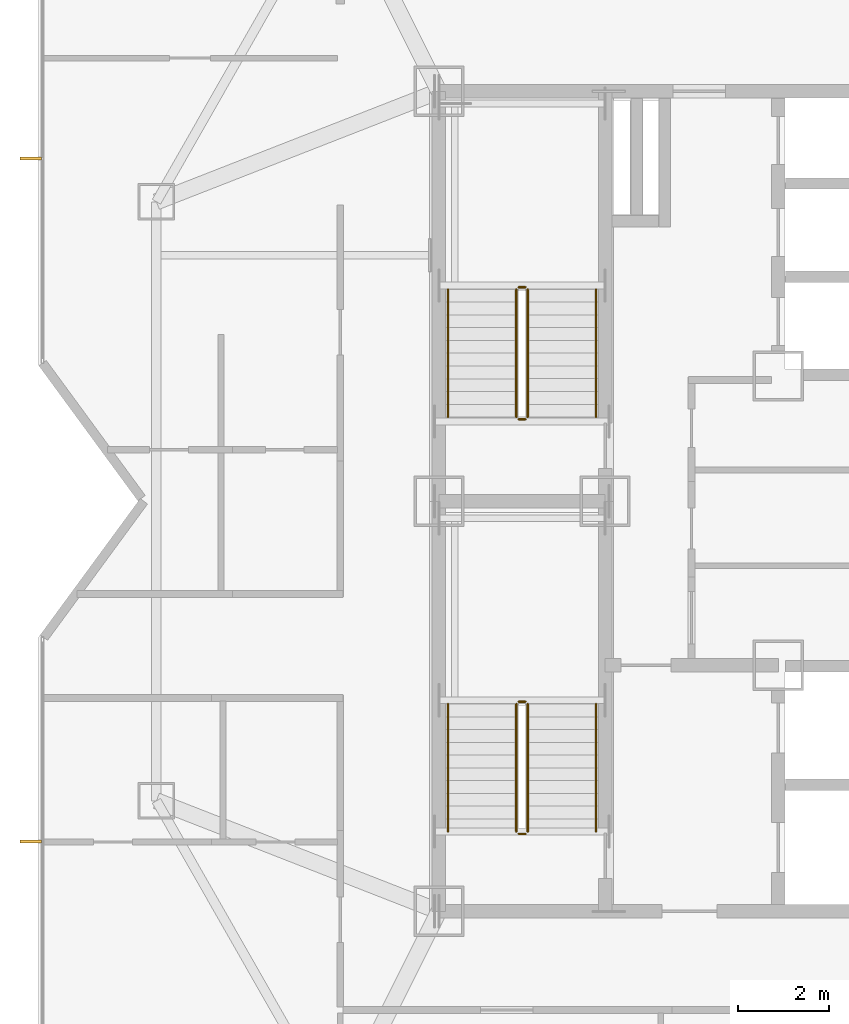
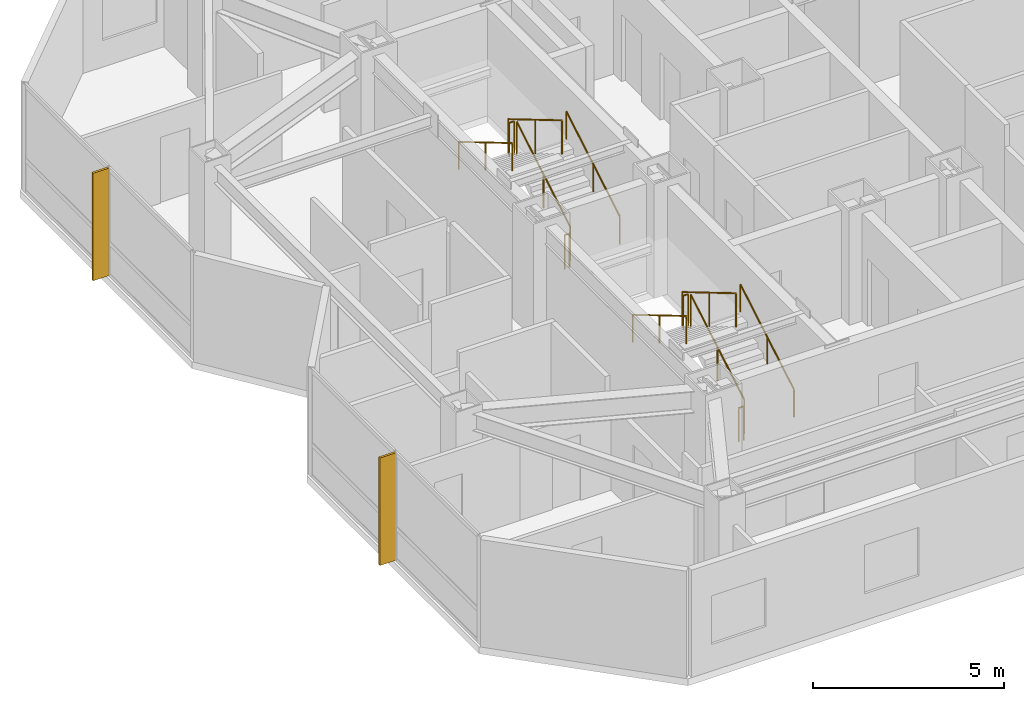
# One storey, part 15 of 15: 12 railings, 2 shading devices.
"""IFC4 building model written with IfcOpenShell, lengths in metres."""

from ifc_helpers import new_model, si_unit, direction, frame, origin, origin_2d, place, context, subcontext, project, spatial, rectangle, circle, extrude, material, type_object, element, save


model = new_model("IFC4")

# Units and contexts
model_context = context("Model", 3, precision=1e-05, world=origin(), true_north=direction((0.0, 1.0)))
body_context = subcontext(model_context, "Body", "Model", "MODEL_VIEW")
ifc_project = project(units=[si_unit("LENGTHUNIT", "METRE"), si_unit("AREAUNIT", "SQUARE_METRE"), si_unit("VOLUMEUNIT", "CUBIC_METRE"), si_unit("PLANEANGLEUNIT", "RADIAN"), si_unit("MASSUNIT", "GRAM", prefix="KILO")], contexts=[model_context])

# Site, building, storey
site_placement = place(None, origin())
site = spatial("IfcSite", under=ifc_project, at=site_placement, CompositionType="ELEMENT")
building_placement = place(site_placement, origin())
building = spatial("IfcBuilding", under=site, at=building_placement, Name="Khamvora Tower", CompositionType="ELEMENT")
storey_placement = place(building_placement, frame((0.0, 0.0, 220.85009765625)))
storey = spatial("IfcBuildingStorey", under=building, at=storey_placement, Name="L56", CompositionType="ELEMENT", Elevation=220.85009765625)

# Railings
ifc_material_1 = material(Name="Brushed Stainless Steel 316", Category="steel")
railing_type_1 = type_object("IfcRailingType", Name="RAL-HDR-920", PredefinedType="HANDRAIL", material=ifc_material_1)
railing_1_placement = place(storey_placement, frame((32.449951171875, 20.75, 0.165771484375)))
element("IfcRailing", 1, at=railing_1_placement, inside=storey, type_object=railing_type_1, Name="L56 ST-01 stair handrail 1", PredefinedType="HANDRAIL", context=body_context, shape_type="SweptSolid", body=[
    extrude(circle(Radius=0.02392578125, at=origin_2d()), frame((0.0, 0.0, 0.8759765625), z_axis=(0.0, 0.860306154799, 0.50977771628), x_axis=(-1.0, 0.0, 0.0)), (0.0, 0.0, 1.0), 3.254638671875),
    extrude(circle(Radius=0.02099609375, at=origin_2d()), origin(), (0.0, 0.0, 1.0), 0.851806640625),
    extrude(circle(Radius=0.02099609375, at=origin_2d()), frame((0.0, 1.39990234375, 0.82958984375)), (0.0, 0.0, 1.0), 0.851806640625),
    extrude(circle(Radius=0.02099609375, at=origin_2d()), frame((0.0, 2.800048828125, 1.6591796875)), (0.0, 0.0, 1.0), 0.851806640625),
])
railing_2_placement = place(storey_placement, frame((29.199951171875, 23.550048828125, 1.99072265625)))
element("IfcRailing", 2, at=railing_2_placement, inside=storey, type_object=railing_type_1, Name="L56 ST-01 stair handrail 2", PredefinedType="HANDRAIL", context=body_context, shape_type="SweptSolid", body=[
    extrude(circle(Radius=0.02392578125, at=origin_2d()), frame((0.0, 0.0, 0.8759765625), z_axis=(0.0, -0.860306154799, 0.50977771628), x_axis=(1.0, 0.0, 0.0)), (0.0, 0.0, 1.0), 3.254638671875),
    extrude(circle(Radius=0.02099609375, at=origin_2d()), origin(), (0.0, 0.0, 1.0), 0.851806640625),
    extrude(circle(Radius=0.02099609375, at=origin_2d()), frame((0.0, -1.39990234375, 0.82958984375)), (0.0, 0.0, 1.0), 0.851806640625),
    extrude(circle(Radius=0.02099609375, at=origin_2d()), frame((0.0, -2.800048828125, 1.6591796875)), (0.0, 0.0, 1.0), 0.851806640625),
])
railing_3_placement = place(storey_placement, frame((32.449951171875, 29.85009765625, 0.165771484375)))
element("IfcRailing", 3, at=railing_3_placement, inside=storey, type_object=railing_type_1, Name="L56 ST-02 stair handrail 1", PredefinedType="HANDRAIL", context=body_context, shape_type="SweptSolid", body=[
    extrude(circle(Radius=0.02392578125, at=origin_2d()), frame((0.0, 0.0, 0.8759765625), z_axis=(0.0, 0.860286659441, 0.509810615413), x_axis=(-1.0, 0.0, 0.0)), (0.0, 0.0, 1.0), 3.25439453125),
    extrude(circle(Radius=0.02099609375, at=origin_2d()), origin(), (0.0, 0.0, 1.0), 0.851806640625),
    extrude(circle(Radius=0.02099609375, at=origin_2d()), frame((0.0, 1.39990234375, 0.82958984375)), (0.0, 0.0, 1.0), 0.851806640625),
    extrude(circle(Radius=0.02099609375, at=origin_2d()), frame((0.0, 2.7998046875, 1.6591796875)), (0.0, 0.0, 1.0), 0.851806640625),
])
railing_4_placement = place(storey_placement, frame((29.199951171875, 32.64990234375, 1.99072265625)))
element("IfcRailing", 4, at=railing_4_placement, inside=storey, type_object=railing_type_1, Name="L56 ST-02 stair handrail 2", PredefinedType="HANDRAIL", context=body_context, shape_type="SweptSolid", body=[
    extrude(circle(Radius=0.02392578125, at=origin_2d()), frame((0.0, 0.0, 0.8759765625), z_axis=(0.0, -0.860286659441, 0.509810615413), x_axis=(1.0, 0.0, 0.0)), (0.0, 0.0, 1.0), 3.25439453125),
    extrude(circle(Radius=0.02099609375, at=origin_2d()), origin(), (0.0, 0.0, 1.0), 0.851806640625),
    extrude(circle(Radius=0.02099609375, at=origin_2d()), frame((0.0, -1.39990234375, 0.82958984375)), (0.0, 0.0, 1.0), 0.851806640625),
    extrude(circle(Radius=0.02099609375, at=origin_2d()), frame((0.0, -2.7998046875, 1.6591796875)), (0.0, 0.0, 1.0), 0.851806640625),
])
ifc_material_2 = material(Name="Stainless Steel 316", Category="steel")
railing_type_2 = type_object("IfcRailingType", Name="RAL-STG-1100", PredefinedType="GUARDRAIL", material=ifc_material_2)
railing_5_placement = place(storey_placement, frame((30.949951171875, 20.75, 0.165771484375)))
element("IfcRailing", 5, at=railing_5_placement, inside=storey, type_object=railing_type_2, Name="L56 ST-01 stair guard 1", PredefinedType="GUARDRAIL", context=body_context, shape_type="SweptSolid", body=[
    extrude(circle(Radius=0.02392578125, at=origin_2d()), frame((0.0, 0.0, 1.076171875), z_axis=(0.0, 0.860306154799, 0.50977771628), x_axis=(-1.0, 0.0, 0.0)), (0.0, 0.0, 1.0), 3.254638671875),
    extrude(circle(Radius=0.02099609375, at=origin_2d()), origin(), (0.0, 0.0, 1.0), 1.052001953125),
    extrude(circle(Radius=0.02099609375, at=origin_2d()), frame((0.0, 1.39990234375, 0.82958984375)), (0.0, 0.0, 1.0), 1.052001953125),
    extrude(circle(Radius=0.02099609375, at=origin_2d()), frame((0.0, 2.800048828125, 1.6591796875)), (0.0, 0.0, 1.0), 1.052001953125),
])
railing_6_placement = place(storey_placement, frame((30.89990234375, 23.60009765625, 1.824951171875)))
element("IfcRailing", 6, at=railing_6_placement, inside=storey, type_object=railing_type_2, Name="L56 ST-01 stair guard 2", PredefinedType="GUARDRAIL", context=body_context, shape_type="SweptSolid", body=[
    extrude(circle(Radius=0.02392578125, at=origin_2d()), frame((0.0, 0.0, 1.076171875), z_axis=(-1.0, 0.0, 0.0), x_axis=(0.0, -1.0, 0.0)), (0.0, 0.0, 1.0), 0.14990234375),
    extrude(circle(Radius=0.02099609375, at=origin_2d()), origin(), (0.0, 0.0, 1.0), 1.052001953125),
    extrude(circle(Radius=0.02099609375, at=origin_2d()), frame((-0.14990234375, 0.0, 0.0)), (0.0, 0.0, 1.0), 1.052001953125),
])
railing_7_placement = place(storey_placement, frame((30.699951171875, 23.550048828125, 1.99072265625)))
element("IfcRailing", 7, at=railing_7_placement, inside=storey, type_object=railing_type_2, Name="L56 ST-01 stair guard 3", PredefinedType="GUARDRAIL", context=body_context, shape_type="SweptSolid", body=[
    extrude(circle(Radius=0.02392578125, at=origin_2d()), frame((0.0, 0.0, 1.076171875), z_axis=(0.0, -0.860306154799, 0.50977771628), x_axis=(1.0, 0.0, 0.0)), (0.0, 0.0, 1.0), 3.254638671875),
    extrude(circle(Radius=0.02099609375, at=origin_2d()), origin(), (0.0, 0.0, 1.0), 1.052001953125),
    extrude(circle(Radius=0.02099609375, at=origin_2d()), frame((0.0, -1.39990234375, 0.82958984375)), (0.0, 0.0, 1.0), 1.052001953125),
    extrude(circle(Radius=0.02099609375, at=origin_2d()), frame((0.0, -2.800048828125, 1.6591796875)), (0.0, 0.0, 1.0), 1.052001953125),
])
railing_8_placement = place(storey_placement, frame((30.89990234375, 20.699951171875, 0.0)))
element("IfcRailing", 8, at=railing_8_placement, inside=storey, type_object=railing_type_2, Name="L56 ST-01 stair guard 4", PredefinedType="GUARDRAIL", context=body_context, shape_type="SweptSolid", body=[
    extrude(circle(Radius=0.02392578125, at=origin_2d()), frame((0.0, 0.0, 1.076171875), z_axis=(-1.0, 0.0, 0.0), x_axis=(0.0, -1.0, 0.0)), (0.0, 0.0, 1.0), 0.14990234375),
    extrude(circle(Radius=0.02099609375, at=origin_2d()), origin(), (0.0, 0.0, 1.0), 1.052001953125),
    extrude(circle(Radius=0.02099609375, at=origin_2d()), frame((-0.14990234375, 0.0, 0.0)), (0.0, 0.0, 1.0), 1.052001953125),
])
railing_9_placement = place(storey_placement, frame((30.949951171875, 29.85009765625, 0.165771484375)))
element("IfcRailing", 9, at=railing_9_placement, inside=storey, type_object=railing_type_2, Name="L56 ST-02 stair guard 1", PredefinedType="GUARDRAIL", context=body_context, shape_type="SweptSolid", body=[
    extrude(circle(Radius=0.02392578125, at=origin_2d()), frame((0.0, 0.0, 1.076171875), z_axis=(0.0, 0.860286659441, 0.509810615413), x_axis=(-1.0, 0.0, 0.0)), (0.0, 0.0, 1.0), 3.25439453125),
    extrude(circle(Radius=0.02099609375, at=origin_2d()), origin(), (0.0, 0.0, 1.0), 1.052001953125),
    extrude(circle(Radius=0.02099609375, at=origin_2d()), frame((0.0, 1.39990234375, 0.82958984375)), (0.0, 0.0, 1.0), 1.052001953125),
    extrude(circle(Radius=0.02099609375, at=origin_2d()), frame((0.0, 2.7998046875, 1.6591796875)), (0.0, 0.0, 1.0), 1.052001953125),
])
railing_10_placement = place(storey_placement, frame((30.89990234375, 32.699951171875, 1.824951171875)))
element("IfcRailing", 10, at=railing_10_placement, inside=storey, type_object=railing_type_2, Name="L56 ST-02 stair guard 2", PredefinedType="GUARDRAIL", context=body_context, shape_type="SweptSolid", body=[
    extrude(circle(Radius=0.02392578125, at=origin_2d()), frame((0.0, 0.0, 1.076171875), z_axis=(-1.0, 0.0, 0.0), x_axis=(0.0, -1.0, 0.0)), (0.0, 0.0, 1.0), 0.14990234375),
    extrude(circle(Radius=0.02099609375, at=origin_2d()), origin(), (0.0, 0.0, 1.0), 1.052001953125),
    extrude(circle(Radius=0.02099609375, at=origin_2d()), frame((-0.14990234375, 0.0, 0.0)), (0.0, 0.0, 1.0), 1.052001953125),
])
railing_11_placement = place(storey_placement, frame((30.699951171875, 32.64990234375, 1.99072265625)))
element("IfcRailing", 11, at=railing_11_placement, inside=storey, type_object=railing_type_2, Name="L56 ST-02 stair guard 3", PredefinedType="GUARDRAIL", context=body_context, shape_type="SweptSolid", body=[
    extrude(circle(Radius=0.02392578125, at=origin_2d()), frame((0.0, 0.0, 1.076171875), z_axis=(0.0, -0.860286659441, 0.509810615413), x_axis=(1.0, 0.0, 0.0)), (0.0, 0.0, 1.0), 3.25439453125),
    extrude(circle(Radius=0.02099609375, at=origin_2d()), origin(), (0.0, 0.0, 1.0), 1.052001953125),
    extrude(circle(Radius=0.02099609375, at=origin_2d()), frame((0.0, -1.39990234375, 0.82958984375)), (0.0, 0.0, 1.0), 1.052001953125),
    extrude(circle(Radius=0.02099609375, at=origin_2d()), frame((0.0, -2.7998046875, 1.6591796875)), (0.0, 0.0, 1.0), 1.052001953125),
])
railing_12_placement = place(storey_placement, frame((30.89990234375, 29.800048828125, 0.0)))
element("IfcRailing", 12, at=railing_12_placement, inside=storey, type_object=railing_type_2, Name="L56 ST-02 stair guard 4", PredefinedType="GUARDRAIL", context=body_context, shape_type="SweptSolid", body=[
    extrude(circle(Radius=0.02392578125, at=origin_2d()), frame((0.0, 0.0, 1.076171875), z_axis=(-1.0, 0.0, 0.0), x_axis=(0.0, -1.0, 0.0)), (0.0, 0.0, 1.0), 0.14990234375),
    extrude(circle(Radius=0.02099609375, at=origin_2d()), origin(), (0.0, 0.0, 1.0), 1.052001953125),
    extrude(circle(Radius=0.02099609375, at=origin_2d()), frame((-0.14990234375, 0.0, 0.0)), (0.0, 0.0, 1.0), 1.052001953125),
])

# Shading devices
ifc_material_3 = material(Name="Anodised Bronze Aluminium 6063-T6", Category="aluminium")
shading_device_type = type_object("IfcShadingDeviceType", Name="SHD-FIN-480", PredefinedType="USERDEFINED", material=ifc_material_3)
for number, where, z_axis, x_axis, name in (
    (13, (20.044921875, 20.534912109375, 0.0), (0.0, 0.0, 1.0), (0.0, 1.0, 0.0), "L56 anodised bronze solar fin 02.01"),
    (14, (20.044921875, 35.52197265625, 0.0), (0.0, 0.0, 1.0), (0.0, 1.0, 0.0), "L56 anodised bronze solar fin 05.01"),
):
    element("IfcShadingDevice", number, at=place(storey_placement, frame(where, z_axis=z_axis, x_axis=x_axis)), inside=storey, type_object=shading_device_type, Name=name, ObjectType="FIN", PredefinedType="USERDEFINED", context=body_context, shape_type="SweptSolid", body=[
        extrude(rectangle(XDim=0.06494140625, YDim=0.47998046875, at=origin_2d()), origin(), (0.0, 0.0, 1.0), 3.429931640625),
    ])

save(model, "model.ifc")
